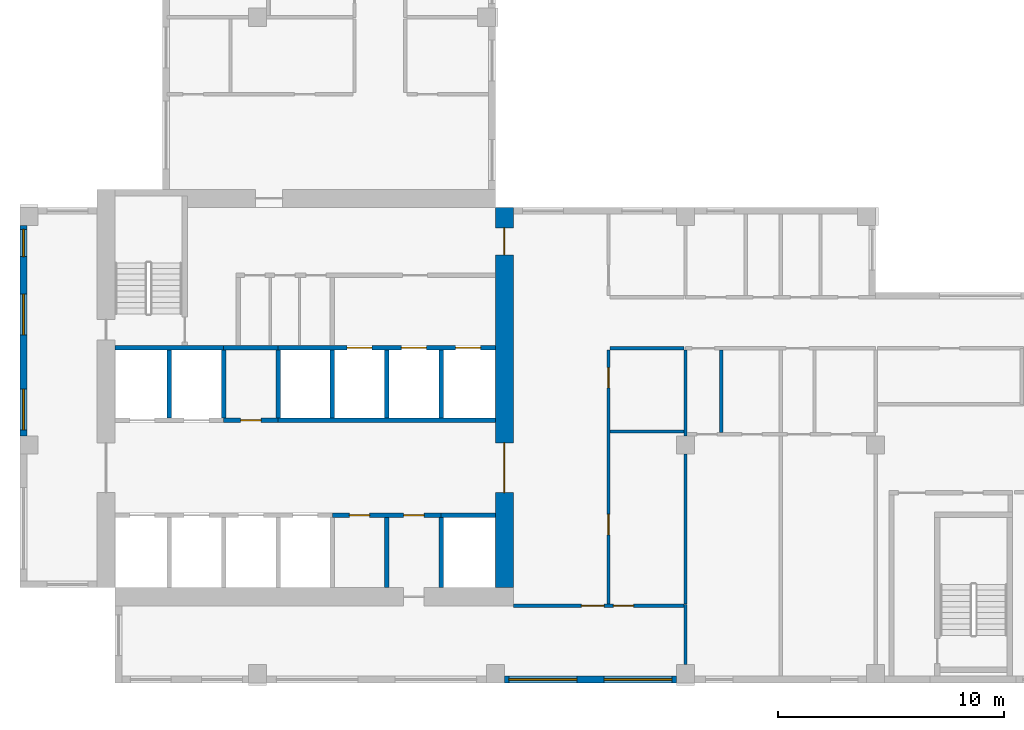
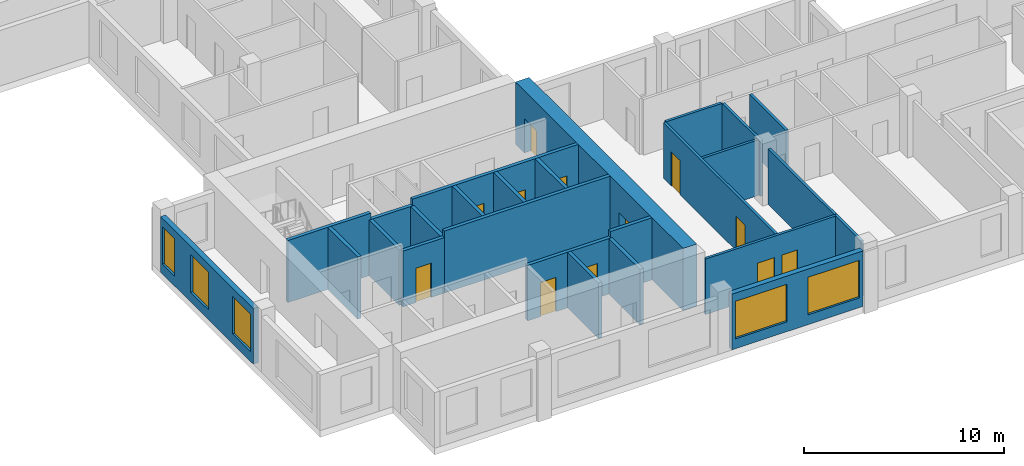
# One storey, part 2 of 11: 26 walls, 12 doors, 5 windows, 17 openings.
"""IFC4 building model written with IfcOpenShell, lengths in metres."""

from ifc_helpers import new_model, si_unit, direction, frame, frame_2d, origin, place, context, subcontext, project, spatial, rectangle, extrude, source, transform, mapped, material, layer, layer_set, type_object, element, fill, save


model = new_model("IFC4")

# Units and contexts
model_context = context("Model", 3, precision=1e-05, world=origin(), true_north=direction((0.0, 1.0)))
body_context = subcontext(model_context, "Body", "Model", "MODEL_VIEW")
ifc_project = project(units=[si_unit("LENGTHUNIT", "METRE"), si_unit("AREAUNIT", "SQUARE_METRE"), si_unit("VOLUMEUNIT", "CUBIC_METRE"), si_unit("PLANEANGLEUNIT", "RADIAN"), si_unit("MASSUNIT", "GRAM", prefix="KILO")], contexts=[model_context])

# Site, building, storey
site_placement = place(None, origin())
site = spatial("IfcSite", under=ifc_project, at=site_placement, CompositionType="ELEMENT")
building_placement = place(site_placement, origin())
building = spatial("IfcBuilding", under=site, at=building_placement, Name="Aurelian Terraces", CompositionType="ELEMENT")
storey_placement = place(building_placement, frame((0.0, 0.0, 265.2)))
storey = spatial("IfcBuildingStorey", under=building, at=storey_placement, Name="L61", CompositionType="ELEMENT", Elevation=265.2)

# Wall, openings, doors
ifc_material_1 = material(Name="Concrete fc' 70 MPa", Category="concrete")
ifc_layer_1 = layer(ifc_material_1, 0.8)
ifc_layer_set_1 = layer_set([ifc_layer_1], Name="CORE WALL 800 FC70")
wall_type_1 = type_object("IfcWallType", Name="CORE WALL 800 FC70", PredefinedType="SHEAR", material=ifc_layer_set_1)
shared_shape_1 = source(origin(), body_context, "Body", "SweptSolid", [
    extrude(rectangle(XDim=16.8, YDim=0.8, at=frame_2d((8.4, 0.0))), origin(), (0.0, 0.0, 1.0), 3.8),
])
wall_1_placement = place(storey_placement, frame((21.4, 4.2, 0.0), z_axis=(0.0, 0.0, 1.0), x_axis=(0.0, 1.0, 0.0)))
wall_1 = element("IfcWall", 1, at=wall_1_placement, inside=storey, type_object=wall_type_1, Name="Core wall E L61", PredefinedType="SHEAR", context=body_context, shape_type="MappedRepresentation", body=[
    mapped(shared_shape_1, transform((0.0, 0.0, 0.0), scale=1.0)),
])
shared_shape_2 = source(origin(), body_context, "Body", "SweptSolid", [
    extrude(rectangle(XDim=2.2, YDim=2.1, at=frame_2d((1.1, 1.05))), frame((0.0, 0.41, 0.0), z_axis=(0.0, -1.0, 0.0), x_axis=(1.0, 0.0, 0.0)), (0.0, 0.0, 1.0), 0.82),
])
opening_1_placement = place(wall_1_placement, frame((4.2, 0.0, 0.0)))
opening_1 = element("IfcOpeningElement", 2, at=opening_1_placement, cuts=wall_1, Name="Opening 66423", PredefinedType="OPENING", context=body_context, shape_type="MappedRepresentation", body=[
    mapped(shared_shape_2, transform((0.0, 0.0, 0.0), scale=1.0)),
])
shared_shape_3 = source(origin(), body_context, "Body", "SweptSolid", [
    extrude(rectangle(XDim=1.2, YDim=2.1, at=frame_2d((0.6, 1.05))), frame((0.0, 0.41, 0.0), z_axis=(0.0, -1.0, 0.0), x_axis=(1.0, 0.0, 0.0)), (0.0, 0.0, 1.0), 0.82),
])
opening_2_placement = place(wall_1_placement, frame((14.7, 0.0, 0.0)))
opening_2 = element("IfcOpeningElement", 3, at=opening_2_placement, cuts=wall_1, Name="Opening 66426", PredefinedType="OPENING", context=body_context, shape_type="MappedRepresentation", body=[
    mapped(shared_shape_3, transform((0.0, 0.0, 0.0), scale=1.0)),
])
ifc_material_2 = material(Name="Steel door leaf", Category="steel")
door_type_1 = type_object("IfcDoorType", Name="Core fire door 1200x2100 right", OperationType="SINGLE_SWING_RIGHT", PredefinedType="DOOR", material=ifc_material_2)
shared_shape_4 = source(origin(), body_context, "Body", "SweptSolid", [
    extrude(rectangle(XDim=1.2, YDim=2.1, at=frame_2d((0.6, 1.05))), frame((0.0, 0.025, 0.0), z_axis=(0.0, -1.0, 0.0), x_axis=(1.0, 0.0, 0.0)), (0.0, 0.0, 1.0), 0.05),
])
door_1_placement = place(opening_2_placement, origin())
door_1 = element("IfcDoor", 4, at=door_1_placement, inside=storey, type_object=door_type_1, Name="Core door 66426", OperationType="SINGLE_SWING_RIGHT", OverallHeight=2.1, OverallWidth=1.2, PredefinedType="DOOR", context=body_context, shape_type="MappedRepresentation", body=[
    mapped(shared_shape_4, transform((0.0, 0.0, 0.0), scale=1.0)),
])
fill(opening_2, door_1)
door_type_2 = type_object("IfcDoorType", Name="Core double door 2200x2100", OperationType="DOUBLE_DOOR_SINGLE_SWING", PredefinedType="DOOR", material=ifc_material_2)
shared_shape_5 = source(origin(), body_context, "Body", "SweptSolid", [
    extrude(rectangle(XDim=2.2, YDim=2.1, at=frame_2d((1.1, 1.05))), frame((0.0, 0.025, 0.0), z_axis=(0.0, -1.0, 0.0), x_axis=(1.0, 0.0, 0.0)), (0.0, 0.0, 1.0), 0.05),
])
door_2_placement = place(opening_1_placement, origin())
door_2 = element("IfcDoor", 5, at=door_2_placement, inside=storey, type_object=door_type_2, Name="Core door 66423", OperationType="DOUBLE_DOOR_SINGLE_SWING", OverallHeight=2.1, OverallWidth=2.2, PredefinedType="DOOR", context=body_context, shape_type="MappedRepresentation", body=[
    mapped(shared_shape_5, transform((0.0, 0.0, 0.0), scale=1.0)),
])
fill(opening_1, door_2)

# Wall, openings, windows
ifc_material_3 = material(Name="Terracotta rainscreen cladding", Category="masonry")
ifc_layer_2 = layer(ifc_material_3, 0.3)
ifc_layer_set_2 = layer_set([ifc_layer_2], Name="EW-300")
wall_type_2 = type_object("IfcWallType", Name="EW-300", PredefinedType="STANDARD", material=ifc_layer_set_2)
shared_shape_6 = source(origin(), body_context, "Body", "SweptSolid", [
    extrude(rectangle(XDim=7.6, YDim=0.3, at=frame_2d((3.8, 0.0))), origin(), (0.0, 0.0, 1.0), 3.4),
])
wall_2_placement = place(storey_placement, frame((21.4, 0.15, 0.0), z_axis=(0.0, 0.0, 1.0), x_axis=(1.0, 0.0, 0.0)))
wall_2 = element("IfcWall", 6, at=wall_2_placement, inside=storey, type_object=wall_type_2, Name="External wall L61 F01.3", PredefinedType="STANDARD", context=body_context, shape_type="MappedRepresentation", body=[
    mapped(shared_shape_6, transform((0.0, 0.0, 0.0), scale=1.0)),
])
shared_shape_7 = source(origin(), body_context, "Body", "SweptSolid", [
    extrude(rectangle(XDim=3.0, YDim=2.3, at=frame_2d((1.5, 1.15))), frame((0.0, 0.16, 0.0), z_axis=(0.0, -1.0, 0.0), x_axis=(1.0, 0.0, 0.0)), (0.0, 0.0, 1.0), 0.32),
])
opening_3_placement = place(wall_2_placement, frame((0.2, 0.0, 0.6)))
opening_3 = element("IfcOpeningElement", 7, at=opening_3_placement, cuts=wall_2, Name="Opening W3023", PredefinedType="OPENING", context=body_context, shape_type="MappedRepresentation", body=[
    mapped(shared_shape_7, transform((0.0, 0.0, 0.0), scale=1.0)),
])
opening_4_placement = place(wall_2_placement, frame((4.4, 0.0, 0.6)))
opening_4 = element("IfcOpeningElement", 8, at=opening_4_placement, cuts=wall_2, Name="Opening W3023", PredefinedType="OPENING", context=body_context, shape_type="MappedRepresentation", body=[
    mapped(shared_shape_7, transform((0.0, 0.0, 0.0), scale=1.0)),
])
ifc_material_4 = material(Name="Clear glazing", Category="glass")
window_type_1 = type_object("IfcWindowType", Name="W-3000x2300", PartitioningType="SINGLE_PANEL", PredefinedType="WINDOW", material=ifc_material_4)
shared_shape_8 = source(origin(), body_context, "Body", "SweptSolid", [
    extrude(rectangle(XDim=3.0, YDim=2.3, at=frame_2d((1.5, 1.15))), frame((0.0, 0.03, 0.0), z_axis=(0.0, -1.0, 0.0), x_axis=(1.0, 0.0, 0.0)), (0.0, 0.0, 1.0), 0.06),
])
window_1_placement = place(opening_3_placement, origin())
window_1 = element("IfcWindow", 9, at=window_1_placement, inside=storey, type_object=window_type_1, Name="Window L61 L61-F01-03-0", OverallHeight=2.3, OverallWidth=3.0, PartitioningType="SINGLE_PANEL", PredefinedType="WINDOW", context=body_context, shape_type="MappedRepresentation", body=[
    mapped(shared_shape_8, transform((0.0, 0.0, 0.0), scale=1.0)),
])
fill(opening_3, window_1)
window_2_placement = place(opening_4_placement, origin())
window_2 = element("IfcWindow", 10, at=window_2_placement, inside=storey, type_object=window_type_1, Name="Window L61 L61-F01-03-1", OverallHeight=2.3, OverallWidth=3.0, PartitioningType="SINGLE_PANEL", PredefinedType="WINDOW", context=body_context, shape_type="MappedRepresentation", body=[
    mapped(shared_shape_8, transform((0.0, 0.0, 0.0), scale=1.0)),
])
fill(opening_4, window_2)

shared_shape_9 = source(origin(), body_context, "Body", "SweptSolid", [
    extrude(rectangle(XDim=9.3, YDim=0.3, at=frame_2d((4.65, 0.0))), origin(), (0.0, 0.0, 1.0), 3.4),
])
wall_3_placement = place(storey_placement, frame((0.15, 20.2, 0.0), z_axis=(0.0, 0.0, 1.0), x_axis=(0.0, -1.0, 0.0)))
wall_3 = element("IfcWall", 11, at=wall_3_placement, inside=storey, type_object=wall_type_2, Name="External wall L61 F20.33", PredefinedType="STANDARD", context=body_context, shape_type="MappedRepresentation", body=[
    mapped(shared_shape_9, transform((0.0, 0.0, 0.0), scale=1.0)),
])
shared_shape_10 = source(origin(), body_context, "Body", "SweptSolid", [
    extrude(rectangle(XDim=1.2, YDim=2.3, at=frame_2d((0.6, 1.15))), frame((0.0, 0.16, 0.0), z_axis=(0.0, -1.0, 0.0), x_axis=(1.0, 0.0, 0.0)), (0.0, 0.0, 1.0), 0.32),
])
opening_5_placement = place(wall_3_placement, frame((0.175, 0.0, 0.6)))
opening_5 = element("IfcOpeningElement", 12, at=opening_5_placement, cuts=wall_3, Name="Opening W1223", PredefinedType="OPENING", context=body_context, shape_type="MappedRepresentation", body=[
    mapped(shared_shape_10, transform((0.0, 0.0, 0.0), scale=1.0)),
])
shared_shape_11 = source(origin(), body_context, "Body", "SweptSolid", [
    extrude(rectangle(XDim=1.8, YDim=2.3, at=frame_2d((0.9, 1.15))), frame((0.0, 0.16, 0.0), z_axis=(0.0, -1.0, 0.0), x_axis=(1.0, 0.0, 0.0)), (0.0, 0.0, 1.0), 0.32),
])
opening_6_placement = place(wall_3_placement, frame((3.025, 0.0, 0.6)))
opening_6 = element("IfcOpeningElement", 13, at=opening_6_placement, cuts=wall_3, Name="Opening W1823", PredefinedType="OPENING", context=body_context, shape_type="MappedRepresentation", body=[
    mapped(shared_shape_11, transform((0.0, 0.0, 0.0), scale=1.0)),
])
opening_7_placement = place(wall_3_placement, frame((7.225, 0.0, 0.6)))
opening_7 = element("IfcOpeningElement", 14, at=opening_7_placement, cuts=wall_3, Name="Opening W1823", PredefinedType="OPENING", context=body_context, shape_type="MappedRepresentation", body=[
    mapped(shared_shape_11, transform((0.0, 0.0, 0.0), scale=1.0)),
])
window_type_2 = type_object("IfcWindowType", Name="W-1200x2300", PartitioningType="SINGLE_PANEL", PredefinedType="WINDOW", material=ifc_material_4)
shared_shape_12 = source(origin(), body_context, "Body", "SweptSolid", [
    extrude(rectangle(XDim=1.2, YDim=2.3, at=frame_2d((0.6, 1.15))), frame((0.0, 0.03, 0.0), z_axis=(0.0, -1.0, 0.0), x_axis=(1.0, 0.0, 0.0)), (0.0, 0.0, 1.0), 0.06),
])
window_3_placement = place(opening_5_placement, origin())
window_3 = element("IfcWindow", 15, at=window_3_placement, inside=storey, type_object=window_type_2, Name="Window L61 L61-F20-33-0", OverallHeight=2.3, OverallWidth=1.2, PartitioningType="SINGLE_PANEL", PredefinedType="WINDOW", context=body_context, shape_type="MappedRepresentation", body=[
    mapped(shared_shape_12, transform((0.0, 0.0, 0.0), scale=1.0)),
])
fill(opening_5, window_3)
window_type_3 = type_object("IfcWindowType", Name="W-1800x2300", PartitioningType="SINGLE_PANEL", PredefinedType="WINDOW", material=ifc_material_4)
shared_shape_13 = source(origin(), body_context, "Body", "SweptSolid", [
    extrude(rectangle(XDim=1.8, YDim=2.3, at=frame_2d((0.9, 1.15))), frame((0.0, 0.03, 0.0), z_axis=(0.0, -1.0, 0.0), x_axis=(1.0, 0.0, 0.0)), (0.0, 0.0, 1.0), 0.06),
])
window_4_placement = place(opening_6_placement, origin())
window_4 = element("IfcWindow", 16, at=window_4_placement, inside=storey, type_object=window_type_3, Name="Window L61 L61-F20-33-1", OverallHeight=2.3, OverallWidth=1.8, PartitioningType="SINGLE_PANEL", PredefinedType="WINDOW", context=body_context, shape_type="MappedRepresentation", body=[
    mapped(shared_shape_13, transform((0.0, 0.0, 0.0), scale=1.0)),
])
fill(opening_6, window_4)
window_5_placement = place(opening_7_placement, origin())
window_5 = element("IfcWindow", 17, at=window_5_placement, inside=storey, type_object=window_type_3, Name="Window L61 L61-F20-33-2", OverallHeight=2.3, OverallWidth=1.8, PartitioningType="SINGLE_PANEL", PredefinedType="WINDOW", context=body_context, shape_type="MappedRepresentation", body=[
    mapped(shared_shape_13, transform((0.0, 0.0, 0.0), scale=1.0)),
])
fill(opening_7, window_5)

# Walls
ifc_material_5 = material(Name="Concrete fc' 40 MPa", Category="concrete")
ifc_layer_3 = layer(ifc_material_5, 0.2)
ifc_layer_set_3 = layer_set([ifc_layer_3], Name="Lift shaft wall 200")
wall_type_3 = type_object("IfcWallType", Name="Lift shaft wall 200", PredefinedType="SOLIDWALL", material=ifc_layer_set_3)
shared_shape_14 = source(origin(), body_context, "Body", "SweptSolid", [
    extrude(rectangle(XDim=3.1, YDim=0.2, at=frame_2d((1.55, 0.0))), origin(), (0.0, 0.0, 1.0), 3.4),
])
wall_4_placement = place(storey_placement, frame((18.6, 4.2, 0.0), z_axis=(0.0, 0.0, 1.0), x_axis=(0.0, 1.0, 0.0)))
element("IfcWall", 18, at=wall_4_placement, inside=storey, type_object=wall_type_3, Name="L61 core wall CD-A6", PredefinedType="SOLIDWALL", context=body_context, shape_type="MappedRepresentation", body=[
    mapped(shared_shape_14, transform((0.0, 0.0, 0.0), scale=1.0)),
])
shared_shape_15 = source(origin(), body_context, "Body", "SweptSolid", [
    extrude(rectangle(XDim=3.0, YDim=0.2, at=frame_2d((1.5, 0.0))), origin(), (0.0, 0.0, 1.0), 3.4),
])
for number, where, z_axis, x_axis, name in (
    (19, (9.0, 11.7, 0.0), (0.0, 0.0, 1.0), (0.0, 1.0, 0.0), "L61 core wall CD-B2"),
    (20, (11.4, 11.7, 0.0), (0.0, 0.0, 1.0), (0.0, 1.0, 0.0), "L61 core wall CD-B3"),
):
    element("IfcWall", number, at=place(storey_placement, frame(where, z_axis=z_axis, x_axis=x_axis)), inside=storey, type_object=wall_type_3, Name=name, PredefinedType="SOLIDWALL", context=body_context, shape_type="MappedRepresentation", body=[
        mapped(shared_shape_15, transform((0.0, 0.0, 0.0), scale=1.0)),
    ])
shared_shape_16 = source(origin(), body_context, "Body", "SweptSolid", [
    extrude(rectangle(XDim=3.0, YDim=0.2, at=frame_2d((1.5, 0.0))), origin(), (0.0, 0.0, 1.0), 3.8),
])
for number, where, z_axis, x_axis, name in (
    (21, (6.6, 11.7, 0.0), (0.0, 0.0, 1.0), (0.0, 1.0, 0.0), "L61 core wall CD-B1"),
    (22, (13.8, 11.7, 0.0), (0.0, 0.0, 1.0), (0.0, 1.0, 0.0), "L61 core wall CD-B4"),
    (23, (16.2, 11.7, 0.0), (0.0, 0.0, 1.0), (0.0, 1.0, 0.0), "L61 core wall CD-B5"),
    (24, (18.6, 11.7, 0.0), (0.0, 0.0, 1.0), (0.0, 1.0, 0.0), "L61 core wall CD-B6"),
):
    element("IfcWall", number, at=place(storey_placement, frame(where, z_axis=z_axis, x_axis=x_axis)), inside=storey, type_object=wall_type_3, Name=name, PredefinedType="SOLIDWALL", context=body_context, shape_type="MappedRepresentation", body=[
        mapped(shared_shape_16, transform((0.0, 0.0, 0.0), scale=1.0)),
    ])
shared_shape_17 = source(origin(), body_context, "Body", "SweptSolid", [
    extrude(rectangle(XDim=9.6, YDim=0.2, at=frame_2d((4.8, 0.0))), origin(), (0.0, 0.0, 1.0), 3.8),
])
wall_5_placement = place(storey_placement, frame((11.4, 11.6, 0.0), z_axis=(0.0, 0.0, 1.0), x_axis=(1.0, 0.0, 0.0)))
element("IfcWall", 25, at=wall_5_placement, inside=storey, type_object=wall_type_3, Name="L61 core wall CF-BF3", PredefinedType="SOLIDWALL", context=body_context, shape_type="MappedRepresentation", body=[
    mapped(shared_shape_17, transform((0.0, 0.0, 0.0), scale=1.0)),
])

# Wall, openings, doors
wall_6_placement = place(storey_placement, frame((11.4, 14.8, 0.0), z_axis=(0.0, 0.0, 1.0), x_axis=(1.0, 0.0, 0.0)))
wall_6 = element("IfcWall", 26, at=wall_6_placement, inside=storey, type_object=wall_type_3, Name="L61 core wall CF-BB3", PredefinedType="SOLIDWALL", context=body_context, shape_type="MappedRepresentation", body=[
    mapped(shared_shape_17, transform((0.0, 0.0, 0.0), scale=1.0)),
])
shared_shape_18 = source(origin(), body_context, "Body", "SweptSolid", [
    extrude(rectangle(XDim=1.1, YDim=2.1, at=frame_2d((0.55, 1.05))), frame((0.0, 0.11, 0.0), z_axis=(0.0, -1.0, 0.0), x_axis=(1.0, 0.0, 0.0)), (0.0, 0.0, 1.0), 0.22),
])
opening_8_placement = place(wall_6_placement, frame((3.05, 0.0, 0.0)))
opening_8 = element("IfcOpeningElement", 27, at=opening_8_placement, cuts=wall_6, Name="Opening 66409", PredefinedType="OPENING", context=body_context, shape_type="MappedRepresentation", body=[
    mapped(shared_shape_18, transform((0.0, 0.0, 0.0), scale=1.0)),
])
opening_9_placement = place(wall_6_placement, frame((5.45, 0.0, 0.0)))
opening_9 = element("IfcOpeningElement", 28, at=opening_9_placement, cuts=wall_6, Name="Opening 66410", PredefinedType="OPENING", context=body_context, shape_type="MappedRepresentation", body=[
    mapped(shared_shape_18, transform((0.0, 0.0, 0.0), scale=1.0)),
])
opening_10_placement = place(wall_6_placement, frame((7.85, 0.0, 0.0)))
opening_10 = element("IfcOpeningElement", 29, at=opening_10_placement, cuts=wall_6, Name="Opening 66411", PredefinedType="OPENING", context=body_context, shape_type="MappedRepresentation", body=[
    mapped(shared_shape_18, transform((0.0, 0.0, 0.0), scale=1.0)),
])
ifc_material_6 = material(Name="Stainless steel", Category="steel")
door_type_3 = type_object("IfcDoorType", Name="Lift landing door 1100x2100", OperationType="SLIDING_TO_LEFT", PredefinedType="DOOR", material=ifc_material_6)
shared_shape_19 = source(origin(), body_context, "Body", "SweptSolid", [
    extrude(rectangle(XDim=1.1, YDim=2.1, at=frame_2d((0.55, 1.05))), frame((0.0, 0.025, 0.0), z_axis=(0.0, -1.0, 0.0), x_axis=(1.0, 0.0, 0.0)), (0.0, 0.0, 1.0), 0.05),
])
door_3_placement = place(opening_8_placement, origin())
door_3 = element("IfcDoor", 30, at=door_3_placement, inside=storey, type_object=door_type_3, Name="Lift landing door F1 L61", OperationType="SLIDING_TO_LEFT", OverallHeight=2.1, OverallWidth=1.1, PredefinedType="DOOR", context=body_context, shape_type="MappedRepresentation", body=[
    mapped(shared_shape_19, transform((0.0, 0.0, 0.0), scale=1.0)),
])
fill(opening_8, door_3)
door_4_placement = place(opening_9_placement, origin())
door_4 = element("IfcDoor", 31, at=door_4_placement, inside=storey, type_object=door_type_3, Name="Lift landing door F2 L61", OperationType="SLIDING_TO_LEFT", OverallHeight=2.1, OverallWidth=1.1, PredefinedType="DOOR", context=body_context, shape_type="MappedRepresentation", body=[
    mapped(shared_shape_19, transform((0.0, 0.0, 0.0), scale=1.0)),
])
fill(opening_9, door_4)
door_5_placement = place(opening_10_placement, origin())
door_5 = element("IfcDoor", 32, at=door_5_placement, inside=storey, type_object=door_type_3, Name="Lift landing door F3 L61", OperationType="SLIDING_TO_LEFT", OverallHeight=2.1, OverallWidth=1.1, PredefinedType="DOOR", context=body_context, shape_type="MappedRepresentation", body=[
    mapped(shared_shape_19, transform((0.0, 0.0, 0.0), scale=1.0)),
])
fill(opening_10, door_5)

# Wall
shared_shape_20 = source(origin(), body_context, "Body", "SweptSolid", [
    extrude(rectangle(XDim=4.8, YDim=0.2, at=frame_2d((2.4, 0.0))), origin(), (0.0, 0.0, 1.0), 3.8),
])
wall_7_placement = place(storey_placement, frame((4.2, 14.8, 0.0), z_axis=(0.0, 0.0, 1.0), x_axis=(1.0, 0.0, 0.0)))
element("IfcWall", 33, at=wall_7_placement, inside=storey, type_object=wall_type_3, Name="L61 core wall CF-BB1", PredefinedType="SOLIDWALL", context=body_context, shape_type="MappedRepresentation", body=[
    mapped(shared_shape_20, transform((0.0, 0.0, 0.0), scale=1.0)),
])

# Wall, opening, door
shared_shape_21 = source(origin(), body_context, "Body", "SweptSolid", [
    extrude(rectangle(XDim=2.4, YDim=0.2, at=frame_2d((1.2, 0.0))), origin(), (0.0, 0.0, 1.0), 3.4),
])
wall_8_placement = place(storey_placement, frame((9.0, 11.6, 0.0), z_axis=(0.0, 0.0, 1.0), x_axis=(1.0, 0.0, 0.0)))
wall_8 = element("IfcWall", 34, at=wall_8_placement, inside=storey, type_object=wall_type_3, Name="L61 core wall CF-BF2", PredefinedType="SOLIDWALL", context=body_context, shape_type="MappedRepresentation", body=[
    mapped(shared_shape_21, transform((0.0, 0.0, 0.0), scale=1.0)),
])
shared_shape_22 = source(origin(), body_context, "Body", "SweptSolid", [
    extrude(rectangle(XDim=0.9, YDim=2.1, at=frame_2d((0.45, 1.05))), frame((0.0, 0.11, 0.0), z_axis=(0.0, -1.0, 0.0), x_axis=(1.0, 0.0, 0.0)), (0.0, 0.0, 1.0), 0.22),
])
opening_11_placement = place(wall_8_placement, frame((0.75, 0.0, 0.0)))
opening_11 = element("IfcOpeningElement", 35, at=opening_11_placement, cuts=wall_8, Name="Opening 66408", PredefinedType="OPENING", context=body_context, shape_type="MappedRepresentation", body=[
    mapped(shared_shape_22, transform((0.0, 0.0, 0.0), scale=1.0)),
])
door_type_4 = type_object("IfcDoorType", Name="Core service door 900x2100", OperationType="SINGLE_SWING_LEFT", PredefinedType="DOOR", material=ifc_material_2)
shared_shape_23 = source(origin(), body_context, "Body", "SweptSolid", [
    extrude(rectangle(XDim=0.9, YDim=2.1, at=frame_2d((0.45, 1.05))), frame((0.0, 0.025, 0.0), z_axis=(0.0, -1.0, 0.0), x_axis=(1.0, 0.0, 0.0)), (0.0, 0.0, 1.0), 0.05),
])
door_6_placement = place(opening_11_placement, origin())
door_6 = element("IfcDoor", 36, at=door_6_placement, inside=storey, type_object=door_type_4, Name="Room door 66408", OperationType="SINGLE_SWING_LEFT", OverallHeight=2.1, OverallWidth=0.9, PredefinedType="DOOR", context=body_context, shape_type="MappedRepresentation", body=[
    mapped(shared_shape_23, transform((0.0, 0.0, 0.0), scale=1.0)),
])
fill(opening_11, door_6)

# Wall
wall_9_placement = place(storey_placement, frame((9.0, 14.8, 0.0), z_axis=(0.0, 0.0, 1.0), x_axis=(1.0, 0.0, 0.0)))
element("IfcWall", 37, at=wall_9_placement, inside=storey, type_object=wall_type_3, Name="L61 core wall CF-BB2", PredefinedType="SOLIDWALL", context=body_context, shape_type="MappedRepresentation", body=[
    mapped(shared_shape_21, transform((0.0, 0.0, 0.0), scale=1.0)),
])

# Wall, openings, doors
shared_shape_24 = source(origin(), body_context, "Body", "SweptSolid", [
    extrude(rectangle(XDim=4.8, YDim=0.2, at=frame_2d((2.4, 0.0))), origin(), (0.0, 0.0, 1.0), 3.4),
])
wall_10_placement = place(storey_placement, frame((13.8, 7.4, 0.0), z_axis=(0.0, 0.0, 1.0), x_axis=(1.0, 0.0, 0.0)))
wall_10 = element("IfcWall", 38, at=wall_10_placement, inside=storey, type_object=wall_type_3, Name="L61 core wall CF-AF2", PredefinedType="SOLIDWALL", context=body_context, shape_type="MappedRepresentation", body=[
    mapped(shared_shape_24, transform((0.0, 0.0, 0.0), scale=1.0)),
])
opening_12_placement = place(wall_10_placement, frame((0.75, 0.0, 0.0)))
opening_12 = element("IfcOpeningElement", 39, at=opening_12_placement, cuts=wall_10, Name="Opening 66404", PredefinedType="OPENING", context=body_context, shape_type="MappedRepresentation", body=[
    mapped(shared_shape_22, transform((0.0, 0.0, 0.0), scale=1.0)),
])
opening_13_placement = place(wall_10_placement, frame((3.15, 0.0, 0.0)))
opening_13 = element("IfcOpeningElement", 40, at=opening_13_placement, cuts=wall_10, Name="Opening 66405", PredefinedType="OPENING", context=body_context, shape_type="MappedRepresentation", body=[
    mapped(shared_shape_22, transform((0.0, 0.0, 0.0), scale=1.0)),
])
door_7_placement = place(opening_12_placement, origin())
door_7 = element("IfcDoor", 41, at=door_7_placement, inside=storey, type_object=door_type_4, Name="Room door 66404", OperationType="SINGLE_SWING_LEFT", OverallHeight=2.1, OverallWidth=0.9, PredefinedType="DOOR", context=body_context, shape_type="MappedRepresentation", body=[
    mapped(shared_shape_23, transform((0.0, 0.0, 0.0), scale=1.0)),
])
fill(opening_12, door_7)
door_type_5 = type_object("IfcDoorType", Name="Core service door 900x2100 right", OperationType="SINGLE_SWING_RIGHT", PredefinedType="DOOR", material=ifc_material_2)
door_8_placement = place(opening_13_placement, origin())
door_8 = element("IfcDoor", 42, at=door_8_placement, inside=storey, type_object=door_type_5, Name="Room door 66405", OperationType="SINGLE_SWING_RIGHT", OverallHeight=2.1, OverallWidth=0.9, PredefinedType="DOOR", context=body_context, shape_type="MappedRepresentation", body=[
    mapped(shared_shape_23, transform((0.0, 0.0, 0.0), scale=1.0)),
])
fill(opening_13, door_8)

# Walls
shared_shape_25 = source(origin(), body_context, "Body", "SweptSolid", [
    extrude(rectangle(XDim=2.4, YDim=0.2, at=frame_2d((1.2, 0.0))), origin(), (0.0, 0.0, 1.0), 3.8),
])
wall_11_placement = place(storey_placement, frame((18.6, 7.4, 0.0), z_axis=(0.0, 0.0, 1.0), x_axis=(1.0, 0.0, 0.0)))
element("IfcWall", 43, at=wall_11_placement, inside=storey, type_object=wall_type_3, Name="L61 core wall CF-AF3", PredefinedType="SOLIDWALL", context=body_context, shape_type="MappedRepresentation", body=[
    mapped(shared_shape_25, transform((0.0, 0.0, 0.0), scale=1.0)),
])
ifc_material_7 = material(Name="Gypsum board on steel studs", Category="steel")
ifc_layer_4 = layer(ifc_material_7, 0.2)
ifc_layer_set_4 = layer_set([ifc_layer_4], Name="Core partition 200")
wall_type_4 = type_object("IfcWallType", Name="Core partition 200", PredefinedType="PARTITIONING", material=ifc_layer_set_4)
shared_shape_26 = source(origin(), body_context, "Body", "SweptSolid", [
    extrude(rectangle(XDim=3.1, YDim=0.2, at=frame_2d((1.55, 0.0))), origin(), (0.0, 0.0, 1.0), 3.4),
])
wall_12_placement = place(storey_placement, frame((16.2, 4.2, 0.0), z_axis=(0.0, 0.0, 1.0), x_axis=(0.0, 1.0, 0.0)))
element("IfcWall", 44, at=wall_12_placement, inside=storey, type_object=wall_type_4, Name="L61 core wall CS-A5", PredefinedType="PARTITIONING", context=body_context, shape_type="MappedRepresentation", body=[
    mapped(shared_shape_26, transform((0.0, 0.0, 0.0), scale=1.0)),
])

# Wall, openings, doors
ifc_layer_5 = layer(ifc_material_7, 0.15)
ifc_layer_set_5 = layer_set([ifc_layer_5], Name="Partition 150")
wall_type_5 = type_object("IfcWallType", Name="Partition 150", PredefinedType="PARTITIONING", material=ifc_layer_set_5)
shared_shape_27 = source(origin(), body_context, "Body", "SweptSolid", [
    extrude(rectangle(XDim=7.525, YDim=0.15, at=frame_2d((3.7625, 0.0))), origin(), (0.0, 0.0, 1.0), 3.4),
])
wall_13_placement = place(storey_placement, frame((21.8, 3.4, 0.0), z_axis=(0.0, 0.0, 1.0), x_axis=(1.0, 0.0, 0.0)))
wall_13 = element("IfcWall", 45, at=wall_13_placement, inside=storey, type_object=wall_type_5, Name="Partition", PredefinedType="PARTITIONING", context=body_context, shape_type="MappedRepresentation", body=[
    mapped(shared_shape_27, transform((0.0, 0.0, 0.0), scale=1.0)),
])
shared_shape_28 = source(origin(), body_context, "Body", "SweptSolid", [
    extrude(rectangle(XDim=1.0, YDim=2.1, at=frame_2d((0.5, 1.05))), frame((0.0, 0.085, 0.0), z_axis=(0.0, -1.0, 0.0), x_axis=(1.0, 0.0, 0.0)), (0.0, 0.0, 1.0), 0.17),
])
opening_14_placement = place(wall_13_placement, frame((3.0, 0.0, 0.0)))
opening_14 = element("IfcOpeningElement", 46, at=opening_14_placement, cuts=wall_13, Name="Opening 761004", PredefinedType="OPENING", context=body_context, shape_type="MappedRepresentation", body=[
    mapped(shared_shape_28, transform((0.0, 0.0, 0.0), scale=1.0)),
])
shared_shape_29 = source(origin(), body_context, "Body", "SweptSolid", [
    extrude(rectangle(XDim=0.9, YDim=2.1, at=frame_2d((0.45, 1.05))), frame((0.0, 0.085, 0.0), z_axis=(0.0, -1.0, 0.0), x_axis=(1.0, 0.0, 0.0)), (0.0, 0.0, 1.0), 0.17),
])
opening_15_placement = place(wall_13_placement, frame((4.413, 0.0, 0.0)))
opening_15 = element("IfcOpeningElement", 47, at=opening_15_placement, cuts=wall_13, Name="Opening 761039", PredefinedType="OPENING", context=body_context, shape_type="MappedRepresentation", body=[
    mapped(shared_shape_29, transform((0.0, 0.0, 0.0), scale=1.0)),
])
ifc_material_8 = material(Name="Timber door leaf", Category="wood")
door_type_6 = type_object("IfcDoorType", Name="Room door 1000x2100 right", OperationType="SINGLE_SWING_RIGHT", PredefinedType="DOOR", material=ifc_material_8)
shared_shape_30 = source(origin(), body_context, "Body", "SweptSolid", [
    extrude(rectangle(XDim=1.0, YDim=2.1, at=frame_2d((0.5, 1.05))), frame((0.0, 0.025, 0.0), z_axis=(0.0, -1.0, 0.0), x_axis=(1.0, 0.0, 0.0)), (0.0, 0.0, 1.0), 0.05),
])
door_9_placement = place(opening_14_placement, origin())
door_9 = element("IfcDoor", 48, at=door_9_placement, inside=storey, type_object=door_type_6, Name="Door 761004", OperationType="SINGLE_SWING_RIGHT", OverallHeight=2.1, OverallWidth=1.0, PredefinedType="DOOR", context=body_context, shape_type="MappedRepresentation", body=[
    mapped(shared_shape_30, transform((0.0, 0.0, 0.0), scale=1.0)),
])
fill(opening_14, door_9)
door_type_7 = type_object("IfcDoorType", Name="Room door 900x2100 left", OperationType="SINGLE_SWING_LEFT", PredefinedType="DOOR", material=ifc_material_8)
door_10_placement = place(opening_15_placement, origin())
door_10 = element("IfcDoor", 49, at=door_10_placement, inside=storey, type_object=door_type_7, Name="Door 761039", OperationType="SINGLE_SWING_LEFT", OverallHeight=2.1, OverallWidth=0.9, PredefinedType="DOOR", context=body_context, shape_type="MappedRepresentation", body=[
    mapped(shared_shape_23, transform((0.0, 0.0, 0.0), scale=1.0)),
])
fill(opening_15, door_10)

shared_shape_31 = source(origin(), body_context, "Body", "SweptSolid", [
    extrude(rectangle(XDim=11.225, YDim=0.15, at=frame_2d((5.6125, 0.0))), origin(), (0.0, 0.0, 1.0), 3.4),
])
wall_14_placement = place(storey_placement, frame((26.0, 14.7, 0.0), z_axis=(0.0, 0.0, 1.0), x_axis=(0.0, -1.0, 0.0)))
wall_14 = element("IfcWall", 50, at=wall_14_placement, inside=storey, type_object=wall_type_5, Name="Partition", PredefinedType="PARTITIONING", context=body_context, shape_type="MappedRepresentation", body=[
    mapped(shared_shape_31, transform((0.0, 0.0, 0.0), scale=1.0)),
])
opening_16_placement = place(wall_14_placement, frame((7.2625, 0.0, 0.0)))
opening_16 = element("IfcOpeningElement", 51, at=opening_16_placement, cuts=wall_14, Name="Opening 761001", PredefinedType="OPENING", context=body_context, shape_type="MappedRepresentation", body=[
    mapped(shared_shape_29, transform((0.0, 0.0, 0.0), scale=1.0)),
])
opening_17_placement = place(wall_14_placement, frame((0.775, 0.0, 0.0)))
opening_17 = element("IfcOpeningElement", 52, at=opening_17_placement, cuts=wall_14, Name="Opening 761002", PredefinedType="OPENING", context=body_context, shape_type="MappedRepresentation", body=[
    mapped(shared_shape_29, transform((0.0, 0.0, 0.0), scale=1.0)),
])
door_11_placement = place(opening_16_placement, origin())
door_11 = element("IfcDoor", 53, at=door_11_placement, inside=storey, type_object=door_type_7, Name="Door 761001", OperationType="SINGLE_SWING_LEFT", OverallHeight=2.1, OverallWidth=0.9, PredefinedType="DOOR", context=body_context, shape_type="MappedRepresentation", body=[
    mapped(shared_shape_23, transform((0.0, 0.0, 0.0), scale=1.0)),
])
fill(opening_16, door_11)
door_type_8 = type_object("IfcDoorType", Name="Room door 900x2100 right", OperationType="SINGLE_SWING_RIGHT", PredefinedType="DOOR", material=ifc_material_8)
door_12_placement = place(opening_17_placement, origin())
door_12 = element("IfcDoor", 54, at=door_12_placement, inside=storey, type_object=door_type_8, Name="Door 761002", OperationType="SINGLE_SWING_RIGHT", OverallHeight=2.1, OverallWidth=0.9, PredefinedType="DOOR", context=body_context, shape_type="MappedRepresentation", body=[
    mapped(shared_shape_23, transform((0.0, 0.0, 0.0), scale=1.0)),
])
fill(opening_17, door_12)

# Walls
shared_shape_32 = source(origin(), body_context, "Body", "SweptSolid", [
    extrude(rectangle(XDim=6.626, YDim=0.15, at=frame_2d((3.313, 0.0))), origin(), (0.0, 0.0, 1.0), 3.4),
])
wall_15_placement = place(storey_placement, frame((29.4, 3.475, 0.0), z_axis=(0.0, 0.0, 1.0), x_axis=(0.0, 1.0, 0.0)))
element("IfcWall", 55, at=wall_15_placement, inside=storey, type_object=wall_type_5, Name="Partition", PredefinedType="PARTITIONING", context=body_context, shape_type="MappedRepresentation", body=[
    mapped(shared_shape_32, transform((0.0, 0.0, 0.0), scale=1.0)),
])
ifc_layer_6 = layer(ifc_material_7, 0.15)
ifc_layer_set_6 = layer_set([ifc_layer_6], Name="Fire partition 150")
wall_type_6 = type_object("IfcWallType", Name="Fire partition 150", PredefinedType="PARTITIONING", material=ifc_layer_set_6)
shared_shape_33 = source(origin(), body_context, "Body", "SweptSolid", [
    extrude(rectangle(XDim=2.656, YDim=0.15, at=frame_2d((1.328, 0.0))), origin(), (0.0, 0.0, 1.0), 3.4),
])
wall_16_placement = place(storey_placement, frame((29.4, 0.799, 0.0), z_axis=(0.0, 0.0, 1.0), x_axis=(0.0, 1.0, 0.0)))
element("IfcWall", 56, at=wall_16_placement, inside=storey, type_object=wall_type_6, Name="Party wall", PredefinedType="PARTITIONING", context=body_context, shape_type="MappedRepresentation", body=[
    mapped(shared_shape_33, transform((0.0, 0.0, 0.0), scale=1.0)),
])
shared_shape_34 = source(origin(), body_context, "Body", "SweptSolid", [
    extrude(rectangle(XDim=3.65, YDim=0.15, at=frame_2d((1.825, 0.0))), origin(), (0.0, 0.0, 1.0), 3.4),
])
wall_17_placement = place(storey_placement, frame((30.975, 11.05, 0.0), z_axis=(0.0, 0.0, 1.0), x_axis=(0.0, 1.0, 0.0)))
element("IfcWall", 57, at=wall_17_placement, inside=storey, type_object=wall_type_5, Name="Partition", PredefinedType="PARTITIONING", context=body_context, shape_type="MappedRepresentation", body=[
    mapped(shared_shape_34, transform((0.0, 0.0, 0.0), scale=1.0)),
])
shared_shape_35 = source(origin(), body_context, "Body", "SweptSolid", [
    extrude(rectangle(XDim=3.801, YDim=0.15, at=frame_2d((1.9005, 0.0))), origin(), (0.0, 0.0, 1.0), 3.4),
])
wall_18_placement = place(storey_placement, frame((29.4, 10.899, 0.0), z_axis=(0.0, 0.0, 1.0), x_axis=(0.0, 1.0, 0.0)))
element("IfcWall", 58, at=wall_18_placement, inside=storey, type_object=wall_type_5, Name="Partition", PredefinedType="PARTITIONING", context=body_context, shape_type="MappedRepresentation", body=[
    mapped(shared_shape_35, transform((0.0, 0.0, 0.0), scale=1.0)),
])
shared_shape_36 = source(origin(), body_context, "Body", "SweptSolid", [
    extrude(rectangle(XDim=3.25, YDim=0.15, at=frame_2d((1.625, 0.0))), origin(), (0.0, 0.0, 1.0), 3.4),
])
wall_19_placement = place(storey_placement, frame((29.325, 11.1, 0.0), z_axis=(0.0, 0.0, 1.0), x_axis=(-1.0, 0.0, 0.0)))
element("IfcWall", 59, at=wall_19_placement, inside=storey, type_object=wall_type_5, Name="Partition", PredefinedType="PARTITIONING", context=body_context, shape_type="MappedRepresentation", body=[
    mapped(shared_shape_36, transform((0.0, 0.0, 0.0), scale=1.0)),
])
wall_20_placement = place(storey_placement, frame((29.325, 14.775, 0.0), z_axis=(0.0, 0.0, 1.0), x_axis=(-1.0, 0.0, 0.0)))
element("IfcWall", 60, at=wall_20_placement, inside=storey, type_object=wall_type_6, Name="Corridor wall", PredefinedType="PARTITIONING", context=body_context, shape_type="MappedRepresentation", body=[
    mapped(shared_shape_36, transform((0.0, 0.0, 0.0), scale=1.0)),
])

save(model, "model.ifc")
